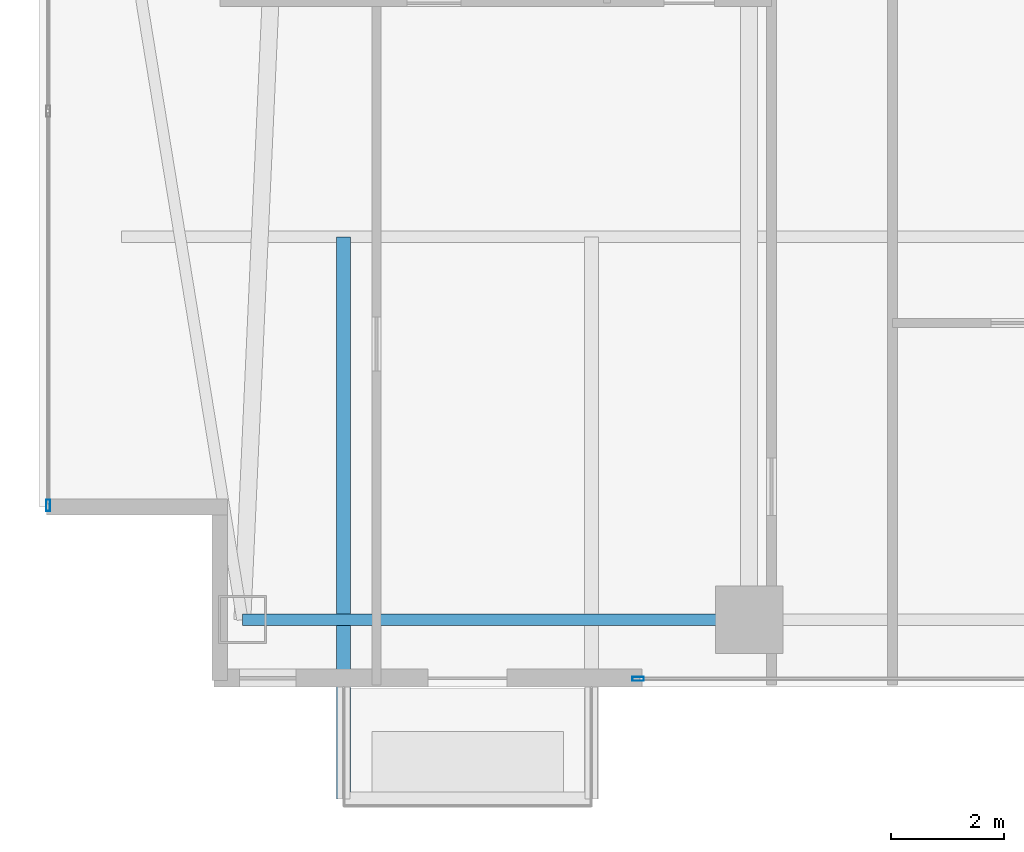
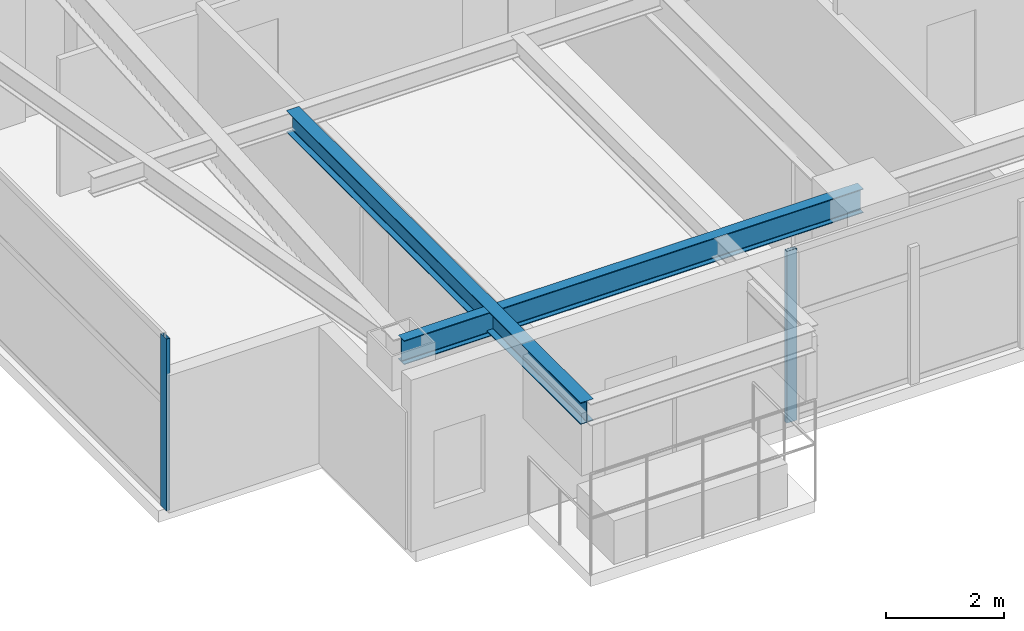
# One storey, part 2 of 28: 2 beams, 2 members, 2 elements without a shape of their own.
"""IFC4 building model written with IfcOpenShell, lengths in metres."""

from ifc_helpers import new_model, si_unit, direction, frame, origin, origin_2d, place, context, subcontext, project, spatial, hollow_rectangle, i_section, extrude, material, layer, layer_set, material_profile, profile_set, type_object, element, aggregate, save


model = new_model("IFC4")

# Units and contexts
model_context = context("Model", 3, precision=1e-05, world=origin(), true_north=direction((0.0, 1.0)))
body_context = subcontext(model_context, "Body", "Model", "MODEL_VIEW")
ifc_project = project(units=[si_unit("LENGTHUNIT", "METRE"), si_unit("AREAUNIT", "SQUARE_METRE"), si_unit("VOLUMEUNIT", "CUBIC_METRE"), si_unit("PLANEANGLEUNIT", "RADIAN"), si_unit("MASSUNIT", "GRAM", prefix="KILO")], contexts=[model_context])

# Site, building, storey
site_placement = place(None, origin())
site = spatial("IfcSite", under=ifc_project, at=site_placement, CompositionType="ELEMENT")
building_placement = place(site_placement, origin())
building = spatial("IfcBuilding", under=site, at=building_placement, Name="Calvorn Quay Hotel", CompositionType="ELEMENT")
storey_placement = place(building_placement, frame((0.0, 0.0, 112.60009765625)))
storey = spatial("IfcBuildingStorey", under=building, at=storey_placement, Name="L27", CompositionType="ELEMENT", Elevation=112.60009765625)

# Beams
ifc_material_1 = material(Name="Steel Q355B", Category="steel")
ifc_material_profile_1 = material_profile(ifc_material_1, i_section(OverallWidth=0.25, OverallDepth=0.449951171875, WebThickness=0.011962890625, FlangeThickness=0.01611328125, FilletRadius=0.01611328125, at=origin_2d()), Name="HN450x250x12x16")
ifc_profile_set_1 = profile_set([ifc_material_profile_1], Name="Steel Q355B")
beam_type_1 = type_object("IfcBeamType", Name="BM-CANT-BALC", PredefinedType="BEAM", material=ifc_profile_set_1)
beam_1_placement = place(storey_placement, frame((5.39990234375, 10.39990234375, 3.31494140625), z_axis=(0.0, -1.0, 0.0), x_axis=(1.0, 0.0, 0.0)))
element("IfcBeam", 1, at=beam_1_placement, inside=storey, type_object=beam_type_1, Name="Cantilever Balcony Beam BCB-L28-2A", PredefinedType="BEAM", context=body_context, shape_type="SweptSolid", body=[
    extrude(i_section(OverallWidth=0.25, OverallDepth=0.449951171875, WebThickness=0.011962890625, FlangeThickness=0.01611328125, FilletRadius=0.01611328125, at=origin_2d()), origin(), (0.0, 0.0, 1.0), 9.989990234375),
])
ifc_material_2 = material(Name="Steel Q355B", Category="steel")
ifc_material_profile_2 = material_profile(ifc_material_2, i_section(OverallWidth=0.199951171875, OverallDepth=0.5, WebThickness=0.010009765625, FlangeThickness=0.01611328125, FilletRadius=0.01611328125, at=origin_2d()), Name="HN500x200x10x16")
ifc_profile_set_2 = profile_set([ifc_material_profile_2], Name="Steel Q355B")
beam_type_2 = type_object("IfcBeamType", Name="BM-SPANDREL-Z1", PredefinedType="SPANDREL", material=ifc_profile_set_2)
beam_2_placement = place(storey_placement, frame((3.60009765625, 3.60009765625, 3.289794921875), z_axis=(1.0, 0.0, 0.0), x_axis=(0.0, 1.0, 0.0)))
element("IfcBeam", 2, at=beam_2_placement, inside=storey, type_object=beam_type_2, Name="Beam BSP-L27-S1", PredefinedType="SPANDREL", context=body_context, shape_type="SweptSolid", body=[
    extrude(i_section(OverallWidth=0.199951171875, OverallDepth=0.5, WebThickness=0.010009765625, FlangeThickness=0.01611328125, FilletRadius=0.01611328125, at=origin_2d()), origin(), (0.0, 0.0, 1.0), 9.0),
])

# Curtain wall, member
ifc_material_3 = material(Name="Pale Anodised Aluminium and Low-E Glass", Category="aluminium")
ifc_layer = layer(ifc_material_3, 0.219970703125)
ifc_layer_set = layer_set([ifc_layer], Name="CW-SYS-Z2")
curtain_wall_type = type_object("IfcCurtainWallType", Name="CW-SYS-Z2", PredefinedType="NOTDEFINED", material=ifc_layer_set)
curtain_wall_1_placement = place(storey_placement, origin())
curtain_wall_1 = element("IfcCurtainWall", 3, at=curtain_wall_1_placement, inside=storey, type_object=curtain_wall_type, Name="Tower West Curtain Wall (L27)", PredefinedType="NOTDEFINED")
ifc_material_4 = material(Name="Pale Anodised Aluminium 6063-T6", Category="aluminium")
ifc_material_profile_3 = material_profile(ifc_material_4, hollow_rectangle(XDim=0.070068359375, YDim=0.199951171875, WallThickness=0.00390625, at=origin_2d()), Name="ALU-M200x70x4")
ifc_profile_set_3 = profile_set([ifc_material_profile_3], Name="Pale Anodised Aluminium 6063-T6")
member_type = type_object("IfcMemberType", Name="CW-SYS-Z2-MUL", PredefinedType="MULLION", material=ifc_profile_set_3)
member_1_placement = place(storey_placement, frame((0.14990234375, 5.6298828125, 0.0), z_axis=(0.0, 0.0, 1.0), x_axis=(-1.0, 0.0, 0.0)))
member_1 = element("IfcMember", 4, at=member_1_placement, type_object=member_type, Name="CW-L27-W mullion 1", PredefinedType="MULLION", context=body_context, shape_type="SweptSolid", body=[
    extrude(hollow_rectangle(XDim=0.070068359375, YDim=0.199951171875, WallThickness=0.00390625, at=origin_2d()), origin(), (0.0, 0.0, 1.0), 3.559814453125),
])
aggregate(curtain_wall_1, [member_1])

curtain_wall_2_placement = place(storey_placement, origin())
curtain_wall_2 = element("IfcCurtainWall", 5, at=curtain_wall_2_placement, inside=storey, type_object=curtain_wall_type, Name="Tower South Waterfront Curtain Wall (L27)", PredefinedType="NOTDEFINED")
member_2_placement = place(storey_placement, frame((10.6298828125, 2.550048828125, 0.0), z_axis=(0.0, 0.0, 1.0), x_axis=(0.0, 1.0, 0.0)))
member_2 = element("IfcMember", 6, at=member_2_placement, type_object=member_type, Name="CW-L27-S mullion 1", PredefinedType="MULLION", context=body_context, shape_type="SweptSolid", body=[
    extrude(hollow_rectangle(XDim=0.070068359375, YDim=0.199951171875, WallThickness=0.00390625, at=origin_2d()), origin(), (0.0, 0.0, 1.0), 3.559814453125),
])
aggregate(curtain_wall_2, [member_2])

save(model, "model.ifc")
